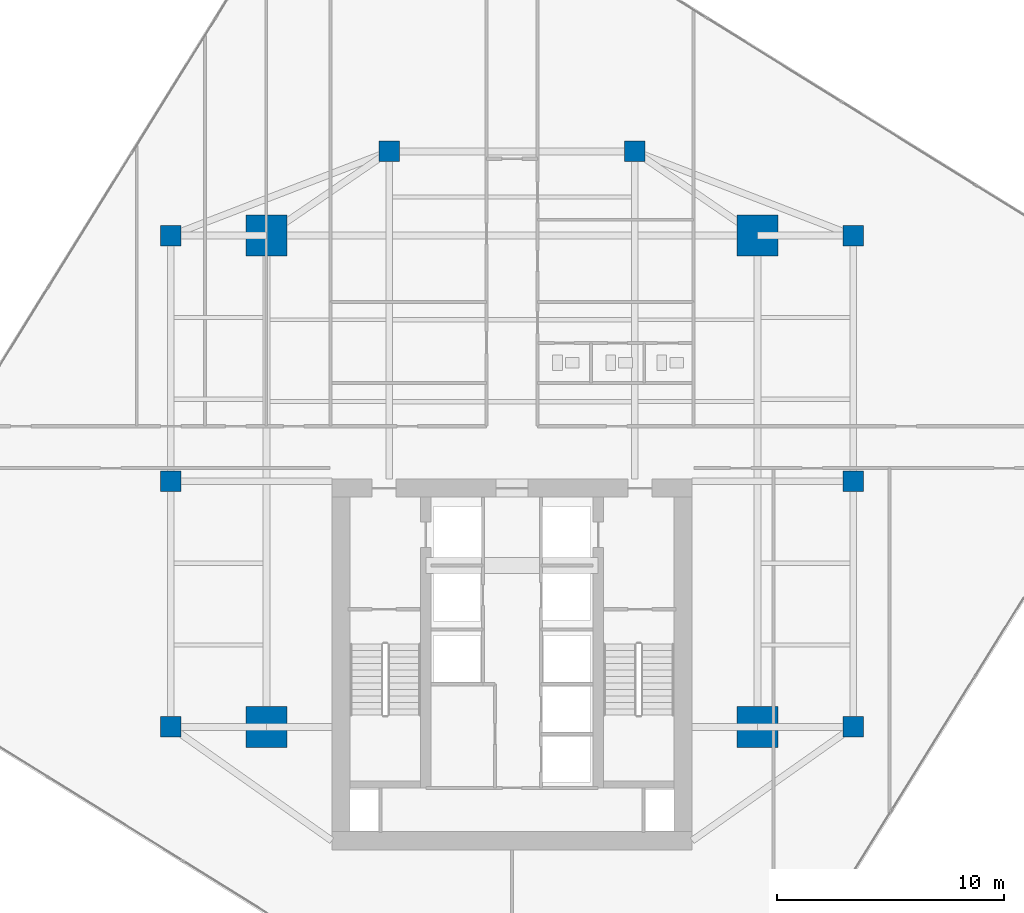
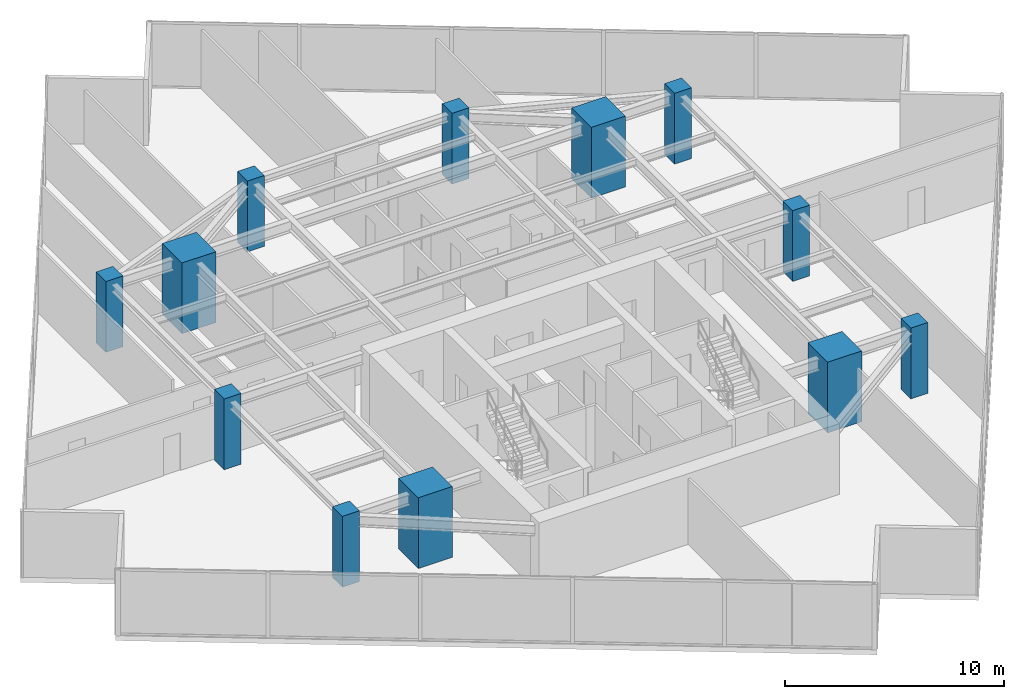
# One storey, part 1 of 25: 12 columns.
"""IFC4 building model written with IfcOpenShell, lengths in metres."""

from ifc_helpers import new_model, si_unit, direction, frame, origin, origin_2d, place, context, subcontext, project, spatial, rectangle, extrude, source, transform, mapped, material, material_profile, profile_set, type_object, type_shapes, element, save


model = new_model("IFC4")

# Units and contexts
model_context = context("Model", 3, precision=1e-05, world=origin(), true_north=direction((0.0, 1.0)))
body_context = subcontext(model_context, "Body", "Model", "MODEL_VIEW")
ifc_project = project(units=[si_unit("LENGTHUNIT", "METRE"), si_unit("AREAUNIT", "SQUARE_METRE"), si_unit("VOLUMEUNIT", "CUBIC_METRE"), si_unit("PLANEANGLEUNIT", "RADIAN"), si_unit("MASSUNIT", "GRAM", prefix="KILO")], contexts=[model_context])

# Site, building, storey
site_placement = place(None, origin())
site = spatial("IfcSite", under=ifc_project, at=site_placement, CompositionType="ELEMENT")
building_placement = place(site_placement, origin())
building = spatial("IfcBuilding", under=site, at=building_placement, Name="Krantzveldt Concourse Tower", CompositionType="ELEMENT")
storey_placement = place(building_placement, frame((0.0, 0.0, 177.800048828125)))
storey = spatial("IfcBuildingStorey", under=building, at=storey_placement, Name="L43", CompositionType="ELEMENT", Elevation=177.800048828125)

# Columns
ifc_material = material(Name="Concrete C50/60", Category="concrete")
ifc_material_profile_1 = material_profile(ifc_material, rectangle(XDim=1.800048828125, YDim=1.800048828125, at=origin_2d()), Name="Concrete C50/60", Category="concrete")
ifc_profile_set_1 = profile_set([ifc_material_profile_1], Name="Concrete C50/60 - RC 1800x1800")
column_type_1 = type_object("IfcColumnType", Name="COL-MC-1800", PredefinedType="USERDEFINED", material=ifc_profile_set_1)
shared_shape_1 = source(origin(), body_context, "Body", "SweptSolid", [
    extrude(rectangle(XDim=1.800048828125, YDim=1.800048828125, at=origin_2d()), origin(), (0.0, 0.0, 1.0), 3.949951171875),
])
type_shapes(column_type_1, [shared_shape_1])
for number, where, z_axis, x_axis, name in (
    (1, (25.199951171875, 15.89990234375, 0.0), (0.0, 0.0, 1.0), (1.0, 0.0, 0.0), "MC-SW-L43"),
    (2, (46.800048828125, 15.89990234375, 0.0), (0.0, 0.0, 1.0), (1.0, 0.0, 0.0), "MC-SE-L43"),
    (3, (46.800048828125, 37.5, 0.0), (0.0, 0.0, 1.0), (1.0, 0.0, 0.0), "MC-NE-L43"),
    (4, (25.199951171875, 37.5, 0.0), (0.0, 0.0, 1.0), (1.0, 0.0, 0.0), "MC-NW-L43"),
):
    element("IfcColumn", number, at=place(storey_placement, frame(where, z_axis=z_axis, x_axis=x_axis)), inside=storey, type_object=column_type_1, Name=name, ObjectType="MEGA COLUMN", PredefinedType="USERDEFINED", context=body_context, shape_type="MappedRepresentation", body=[
        mapped(shared_shape_1, transform((0.0, 0.0, 0.0), x_axis=(1.0, 0.0, 0.0), y_axis=(0.0, 1.0, 0.0), z_axis=(0.0, 0.0, 1.0), scale=1.0)),
    ])
ifc_material_profile_2 = material_profile(ifc_material, rectangle(XDim=0.89990234375, YDim=0.89990234375, at=origin_2d()), Name="Concrete C50/60", Category="concrete")
ifc_profile_set_2 = profile_set([ifc_material_profile_2], Name="Concrete C50/60 - RC 900x900")
column_type_2 = type_object("IfcColumnType", Name="COL-C-Z3", PredefinedType="COLUMN", material=ifc_profile_set_2)
shared_shape_2 = source(origin(), body_context, "Body", "SweptSolid", [
    extrude(rectangle(XDim=0.89990234375, YDim=0.89990234375, at=origin_2d()), origin(), (0.0, 0.0, 1.0), 3.949951171875),
])
type_shapes(column_type_2, [shared_shape_2])
for number, where, z_axis, x_axis, name in (
    (5, (21.0, 15.89990234375, 0.0), (0.0, 0.0, 1.0), (1.0, 0.0, 0.0), "PC-R01-L43"),
    (6, (21.0, 26.699951171875, 0.0), (0.0, 0.0, 1.0), (1.0, 0.0, 0.0), "PC-R02-L43"),
    (7, (21.0, 37.5, 0.0), (0.0, 0.0, 1.0), (1.0, 0.0, 0.0), "PC-R03-L43"),
    (8, (30.60009765625, 41.199951171875, 0.0), (0.0, 0.0, 1.0), (1.0, 0.0, 0.0), "PC-R04-L43"),
    (9, (41.39990234375, 41.199951171875, 0.0), (0.0, 0.0, 1.0), (1.0, 0.0, 0.0), "PC-R05-L43"),
    (10, (51.0, 37.5, 0.0), (0.0, 0.0, 1.0), (1.0, 0.0, 0.0), "PC-R06-L43"),
    (11, (51.0, 26.699951171875, 0.0), (0.0, 0.0, 1.0), (1.0, 0.0, 0.0), "PC-R07-L43"),
    (12, (51.0, 15.89990234375, 0.0), (0.0, 0.0, 1.0), (1.0, 0.0, 0.0), "PC-R08-L43"),
):
    element("IfcColumn", number, at=place(storey_placement, frame(where, z_axis=z_axis, x_axis=x_axis)), inside=storey, type_object=column_type_2, Name=name, PredefinedType="COLUMN", context=body_context, shape_type="MappedRepresentation", body=[
        mapped(shared_shape_2, transform((0.0, 0.0, 0.0), x_axis=(1.0, 0.0, 0.0), y_axis=(0.0, 1.0, 0.0), z_axis=(0.0, 0.0, 1.0), scale=1.0)),
    ])

save(model, "model.ifc")
